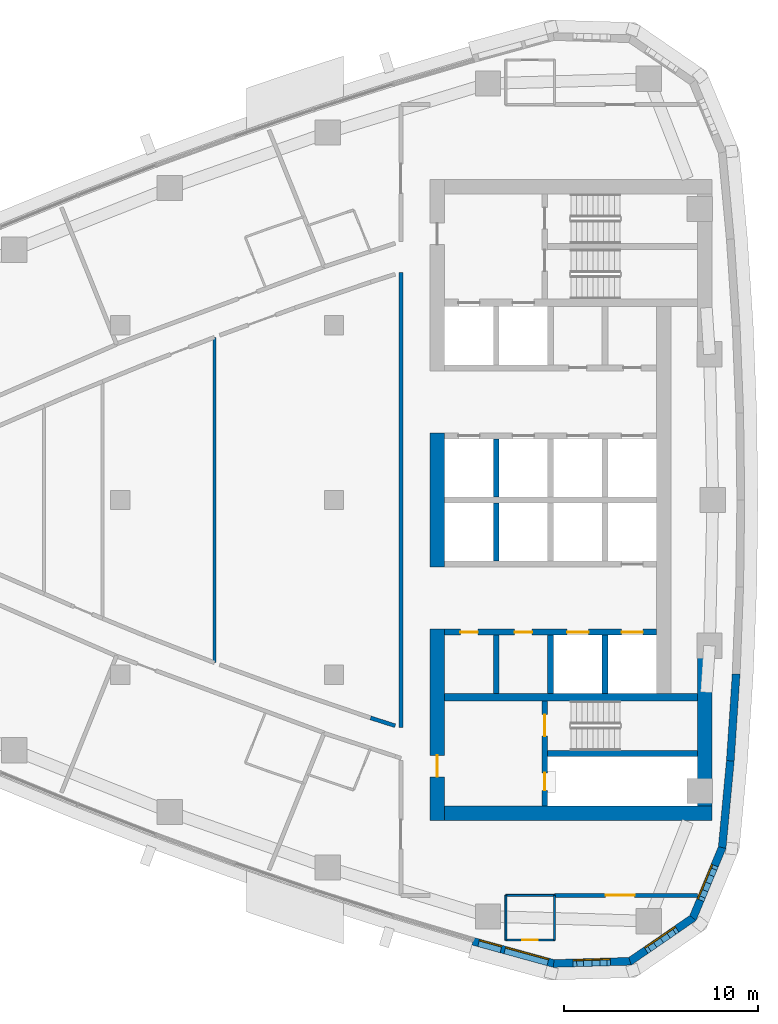
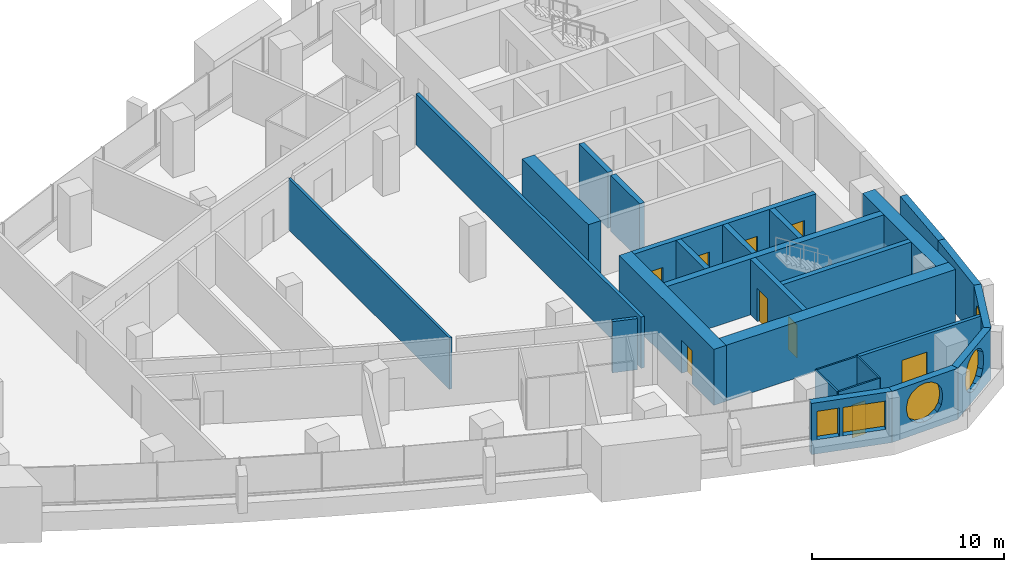
# One storey, part 10 of 16: 27 walls, 9 doors, 5 windows, 14 openings.
"""IFC4 building model written with IfcOpenShell, lengths in metres."""

from ifc_helpers import new_model, si_unit, direction, frame, frame_2d, origin, place, context, subcontext, project, spatial, polyline, rectangle, outline, extrude, material, layer, layer_set, type_object, element, fill, save


model = new_model("IFC4")

# Units and contexts
model_context = context("Model", 3, precision=1e-05, world=origin(), true_north=direction((0.0, 1.0)))
body_context = subcontext(model_context, "Body", "Model", "MODEL_VIEW")
ifc_project = project(units=[si_unit("LENGTHUNIT", "METRE"), si_unit("AREAUNIT", "SQUARE_METRE"), si_unit("VOLUMEUNIT", "CUBIC_METRE"), si_unit("PLANEANGLEUNIT", "RADIAN"), si_unit("MASSUNIT", "GRAM", prefix="KILO")], contexts=[model_context])

# Site, building, storey
site_placement = place(None, origin())
site = spatial("IfcSite", under=ifc_project, at=site_placement, CompositionType="ELEMENT")
building_placement = place(site_placement, origin())
building = spatial("IfcBuilding", under=site, at=building_placement, Name="Ostrand Prow Hotel Tower", CompositionType="ELEMENT")
storey_placement = place(building_placement, frame((0.0, 0.0, 186.14990234375)))
storey = spatial("IfcBuildingStorey", under=building, at=storey_placement, Name="L46", CompositionType="ELEMENT", Elevation=186.14990234375)

# Wall
ifc_material_1 = material(Name="Concrete C60/75", Category="concrete")
ifc_layer_1 = layer(ifc_material_1, 0.300048828125)
ifc_layer_set_1 = layer_set([ifc_layer_1], Name="Concrete C60/75")
wall_type_1 = type_object("IfcWallType", Name="Core wall 300 C60/75", PredefinedType="SHEAR", material=ifc_layer_set_1)
wall_1_placement = place(storey_placement, frame((53.35009765625, 0.14990234375, 0.0), z_axis=(0.0, 0.0, 1.0), x_axis=(0.0, 1.0, 0.0)))
element("IfcWall", 1, at=wall_1_placement, inside=storey, type_object=wall_type_1, Name="Core wall PW-R1-NB", PredefinedType="SHEAR", context=body_context, shape_type="SweptSolid", body=[
    extrude(rectangle(XDim=3.0, YDim=0.300048828125, at=frame_2d((1.5, 0.0))), origin(), (0.0, 0.0, 1.0), 3.550048828125),
])

# Wall, openings, doors
wall_2_placement = place(storey_placement, frame((50.699951171875, -6.800048828125, 0.0), z_axis=(0.0, 0.0, 1.0), x_axis=(1.0, 0.0, 0.0)))
wall_2 = element("IfcWall", 2, at=wall_2_placement, inside=storey, type_object=wall_type_1, Name="Core wall PW-L2-S", PredefinedType="SHEAR", context=body_context, shape_type="SweptSolid", body=[
    extrude(rectangle(XDim=10.900146484375, YDim=0.300048828125, at=frame_2d((5.4501953125, 0.0))), origin(), (0.0, 0.0, 1.0), 3.550048828125),
])
opening_1_placement = place(wall_2_placement, frame((6.300048828125, 0.0, 0.0)))
opening_1 = element("IfcOpeningElement", 3, at=opening_1_placement, cuts=wall_2, Name="Opening LD", PredefinedType="OPENING", context=body_context, shape_type="SweptSolid", body=[
    extrude(rectangle(XDim=1.10009765625, YDim=2.10009765625, at=frame_2d((0.550048828125, 1.050048828125))), frame((0.0, 0.159912109375, 0.0), z_axis=(0.0, -1.0, 0.0), x_axis=(1.0, 0.0, 0.0)), (0.0, 0.0, 1.0), 0.320068359375),
])
opening_2_placement = place(wall_2_placement, frame((9.10009765625, 0.0, 0.0)))
opening_2 = element("IfcOpeningElement", 4, at=opening_2_placement, cuts=wall_2, Name="Opening LD", PredefinedType="OPENING", context=body_context, shape_type="SweptSolid", body=[
    extrude(rectangle(XDim=1.10009765625, YDim=2.10009765625, at=frame_2d((0.550048828125, 1.050048828125))), frame((0.0, 0.159912109375, 0.0), z_axis=(0.0, -1.0, 0.0), x_axis=(1.0, 0.0, 0.0)), (0.0, 0.0, 1.0), 0.320068359375),
])
opening_3_placement = place(wall_2_placement, frame((0.800048828125, 0.0, 0.0)))
opening_3 = element("IfcOpeningElement", 5, at=opening_3_placement, cuts=wall_2, Name="Opening FD2", PredefinedType="OPENING", context=body_context, shape_type="SweptSolid", body=[
    extrude(rectangle(XDim=0.89990234375, YDim=2.10009765625, at=frame_2d((0.449951171875, 1.050048828125))), frame((0.0, 0.159912109375, 0.0), z_axis=(0.0, -1.0, 0.0), x_axis=(1.0, 0.0, 0.0)), (0.0, 0.0, 1.0), 0.320068359375),
])
opening_4_placement = place(wall_2_placement, frame((3.60009765625, 0.0, 0.0)))
opening_4 = element("IfcOpeningElement", 6, at=opening_4_placement, cuts=wall_2, Name="Opening FD2", PredefinedType="OPENING", context=body_context, shape_type="SweptSolid", body=[
    extrude(rectangle(XDim=0.89990234375, YDim=2.10009765625, at=frame_2d((0.449951171875, 1.050048828125))), frame((0.0, 0.159912109375, 0.0), z_axis=(0.0, -1.0, 0.0), x_axis=(1.0, 0.0, 0.0)), (0.0, 0.0, 1.0), 0.320068359375),
])
ifc_material_2 = material(Name="Steel fire door", Category="steel")
door_type_1 = type_object("IfcDoorType", Name="Fire door 900 EI120", OperationType="SINGLE_SWING_LEFT", PredefinedType="DOOR", material=ifc_material_2)
door_1_placement = place(opening_3_placement, origin())
door_1 = element("IfcDoor", 7, at=door_1_placement, inside=storey, type_object=door_type_1, Name="DOOR", OperationType="SINGLE_SWING_LEFT", OverallHeight=2.10009765625, OverallWidth=0.89990234375, PredefinedType="DOOR", context=body_context, shape_type="SweptSolid", body=[
    extrude(rectangle(XDim=0.89990234375, YDim=2.10009765625, at=frame_2d((0.449951171875, 1.050048828125))), frame((0.0, 0.02490234375, 0.0), z_axis=(0.0, -1.0, 0.0), x_axis=(1.0, 0.0, 0.0)), (0.0, 0.0, 1.0), 0.050048828125),
])
fill(opening_3, door_1)
door_2_placement = place(opening_4_placement, origin())
door_2 = element("IfcDoor", 8, at=door_2_placement, inside=storey, type_object=door_type_1, Name="DOOR", OperationType="SINGLE_SWING_LEFT", OverallHeight=2.10009765625, OverallWidth=0.89990234375, PredefinedType="DOOR", context=body_context, shape_type="SweptSolid", body=[
    extrude(rectangle(XDim=0.89990234375, YDim=2.10009765625, at=frame_2d((0.449951171875, 1.050048828125))), frame((0.0, 0.02490234375, 0.0), z_axis=(0.0, -1.0, 0.0), x_axis=(1.0, 0.0, 0.0)), (0.0, 0.0, 1.0), 0.050048828125),
])
fill(opening_4, door_2)
ifc_material_3 = material(Name="Stainless steel door", Category="steel")
door_type_2 = type_object("IfcDoorType", Name="Lift landing door 1100", OperationType="DOUBLE_DOOR_SLIDING", PredefinedType="DOOR", material=ifc_material_3)
door_3_placement = place(opening_1_placement, origin())
door_3 = element("IfcDoor", 9, at=door_3_placement, inside=storey, type_object=door_type_2, Name="LIFT LANDING DOOR", OperationType="DOUBLE_DOOR_SLIDING", OverallHeight=2.10009765625, OverallWidth=1.10009765625, PredefinedType="DOOR", context=body_context, shape_type="SweptSolid", body=[
    extrude(rectangle(XDim=1.10009765625, YDim=2.10009765625, at=frame_2d((0.550048828125, 1.050048828125))), frame((0.0, 0.02490234375, 0.0), z_axis=(0.0, -1.0, 0.0), x_axis=(1.0, 0.0, 0.0)), (0.0, 0.0, 1.0), 0.050048828125),
])
fill(opening_1, door_3)
door_4_placement = place(opening_2_placement, origin())
door_4 = element("IfcDoor", 10, at=door_4_placement, inside=storey, type_object=door_type_2, Name="LIFT LANDING DOOR", OperationType="DOUBLE_DOOR_SLIDING", OverallHeight=2.10009765625, OverallWidth=1.10009765625, PredefinedType="DOOR", context=body_context, shape_type="SweptSolid", body=[
    extrude(rectangle(XDim=1.10009765625, YDim=2.10009765625, at=frame_2d((0.550048828125, 1.050048828125))), frame((0.0, 0.02490234375, 0.0), z_axis=(0.0, -1.0, 0.0), x_axis=(1.0, 0.0, 0.0)), (0.0, 0.0, 1.0), 0.050048828125),
])
fill(opening_2, door_4)

# Walls
for number, where, z_axis, x_axis, name in (
    (11, (53.35009765625, -3.14990234375, 0.0), (0.0, 0.0, 1.0), (0.0, 1.0, 0.0), "Core wall PW-R1-SB"),
    (12, (53.35009765625, -9.949951171875, 0.0), (0.0, 0.0, 1.0), (0.0, 1.0, 0.0), "Core wall PW-R1-SA"),
    (13, (56.14990234375, -9.949951171875, 0.0), (0.0, 0.0, 1.0), (0.0, 1.0, 0.0), "Core wall PW-R2-SA"),
    (14, (58.949951171875, -9.949951171875, 0.0), (0.0, 0.0, 1.0), (0.0, 1.0, 0.0), "Core wall PW-R3-SA"),
):
    element("IfcWall", number, at=place(storey_placement, frame(where, z_axis=z_axis, x_axis=x_axis)), inside=storey, type_object=wall_type_1, Name=name, PredefinedType="SHEAR", context=body_context, shape_type="SweptSolid", body=[
        extrude(rectangle(XDim=3.0, YDim=0.300048828125, at=frame_2d((1.5, 0.0))), origin(), (0.0, 0.0, 1.0), 3.550048828125),
    ])

# Wall, openings, doors
wall_3_placement = place(storey_placement, frame((55.85009765625, -15.75, 0.0), z_axis=(0.0, 0.0, 1.0), x_axis=(0.0, 1.0, 0.0)))
wall_3 = element("IfcWall", 15, at=wall_3_placement, inside=storey, type_object=wall_type_1, Name="Core wall PW-VS", PredefinedType="SHEAR", context=body_context, shape_type="SweptSolid", body=[
    extrude(rectangle(XDim=5.39990234375, YDim=0.300048828125, at=frame_2d((2.699951171875, 0.0))), origin(), (0.0, 0.0, 1.0), 3.550048828125),
])
opening_5_placement = place(wall_3_placement, frame((3.60009765625, 0.0, 0.0)))
opening_5 = element("IfcOpeningElement", 16, at=opening_5_placement, cuts=wall_3, Name="Opening FD1", PredefinedType="OPENING", context=body_context, shape_type="SweptSolid", body=[
    extrude(rectangle(XDim=1.10009765625, YDim=2.10009765625, at=frame_2d((0.550048828125, 1.050048828125))), frame((0.0, 0.159912109375, 0.0), z_axis=(0.0, -1.0, 0.0), x_axis=(1.0, 0.0, 0.0)), (0.0, 0.0, 1.0), 0.320068359375),
])
opening_6_placement = place(wall_3_placement, frame((0.800048828125, 0.0, 0.0)))
opening_6 = element("IfcOpeningElement", 17, at=opening_6_placement, cuts=wall_3, Name="Opening FD2", PredefinedType="OPENING", context=body_context, shape_type="SweptSolid", body=[
    extrude(rectangle(XDim=0.89990234375, YDim=2.10009765625, at=frame_2d((0.449951171875, 1.050048828125))), frame((0.0, 0.159912109375, 0.0), z_axis=(0.0, -1.0, 0.0), x_axis=(1.0, 0.0, 0.0)), (0.0, 0.0, 1.0), 0.320068359375),
])
ifc_material_4 = material(Name="Steel fire door", Category="steel")
door_type_3 = type_object("IfcDoorType", Name="Fire door 1100 EI120", OperationType="SINGLE_SWING_RIGHT", PredefinedType="DOOR", material=ifc_material_4)
door_5_placement = place(opening_5_placement, origin())
door_5 = element("IfcDoor", 18, at=door_5_placement, inside=storey, type_object=door_type_3, Name="FIRE DOOR", OperationType="SINGLE_SWING_RIGHT", OverallHeight=2.10009765625, OverallWidth=1.10009765625, PredefinedType="DOOR", context=body_context, shape_type="SweptSolid", body=[
    extrude(rectangle(XDim=1.10009765625, YDim=2.10009765625, at=frame_2d((0.550048828125, 1.050048828125))), frame((0.0, 0.02490234375, 0.0), z_axis=(0.0, -1.0, 0.0), x_axis=(1.0, 0.0, 0.0)), (0.0, 0.0, 1.0), 0.050048828125),
])
fill(opening_5, door_5)
door_6_placement = place(opening_6_placement, origin())
door_6 = element("IfcDoor", 19, at=door_6_placement, inside=storey, type_object=door_type_1, Name="FIRE DOOR", OperationType="SINGLE_SWING_LEFT", OverallHeight=2.10009765625, OverallWidth=0.89990234375, PredefinedType="DOOR", context=body_context, shape_type="SweptSolid", body=[
    extrude(rectangle(XDim=0.89990234375, YDim=2.10009765625, at=frame_2d((0.449951171875, 1.050048828125))), frame((0.0, 0.02490234375, 0.0), z_axis=(0.0, -1.0, 0.0), x_axis=(1.0, 0.0, 0.0)), (0.0, 0.0, 1.0), 0.050048828125),
])
fill(opening_6, door_6)

# Walls
wall_4_placement = place(storey_placement, frame((56.0, -13.050048828125, 0.0), z_axis=(0.0, 0.0, 1.0), x_axis=(1.0, 0.0, 0.0)))
element("IfcWall", 20, at=wall_4_placement, inside=storey, type_object=wall_type_1, Name="Core wall PW-ST2R", PredefinedType="SHEAR", context=body_context, shape_type="SweptSolid", body=[
    extrude(rectangle(XDim=7.719970703125, YDim=0.300048828125, at=frame_2d((3.85986328125, 0.0))), origin(), (0.0, 0.0, 1.0), 3.550048828125),
])
ifc_material_5 = material(Name="Concrete C60/75", Category="concrete")
ifc_layer_2 = layer(ifc_material_5, 0.39990234375)
ifc_layer_set_2 = layer_set([ifc_layer_2], Name="Concrete C60/75")
wall_type_2 = type_object("IfcWallType", Name="Core wall 400 C60/75", PredefinedType="SHEAR", material=ifc_layer_set_2)
wall_5_placement = place(storey_placement, frame((50.699951171875, -10.14990234375, 0.0), z_axis=(0.0, 0.0, 1.0), x_axis=(1.0, 0.0, 0.0)))
element("IfcWall", 21, at=wall_5_placement, inside=storey, type_object=wall_type_2, Name="Core wall PW-BS", PredefinedType="SHEAR", context=body_context, shape_type="SweptSolid", body=[
    extrude(rectangle(XDim=13.02001953125, YDim=0.39990234375, at=frame_2d((6.510009765625, 0.0))), origin(), (0.0, 0.0, 1.0), 3.550048828125),
])
ifc_material_6 = material(Name="Concrete C60/75", Category="concrete")
ifc_layer_3 = layer(ifc_material_6, 0.75)
ifc_layer_set_3 = layer_set([ifc_layer_3], Name="Concrete C60/75")
wall_type_3 = type_object("IfcWallType", Name="Core wall 750 C60/75", PredefinedType="SHEAR", material=ifc_layer_set_3)
wall_6_placement = place(storey_placement, frame((50.324951171875, -3.449951171875, 0.0), z_axis=(0.0, 0.0, 1.0), x_axis=(0.0, 1.0, 0.0)))
element("IfcWall", 22, at=wall_6_placement, inside=storey, type_object=wall_type_3, Name="Core wall CW-W-C", PredefinedType="SHEAR", context=body_context, shape_type="SweptSolid", body=[
    extrude(rectangle(XDim=6.89990234375, YDim=0.75, at=frame_2d((3.449951171875, 0.0))), origin(), (0.0, 0.0, 1.0), 3.550048828125),
])

# Wall, opening, door
wall_7_placement = place(storey_placement, frame((50.324951171875, -16.5, 0.0), z_axis=(0.0, 0.0, 1.0), x_axis=(0.0, 1.0, 0.0)))
wall_7 = element("IfcWall", 23, at=wall_7_placement, inside=storey, type_object=wall_type_3, Name="Core wall CW-W-S", PredefinedType="SHEAR", context=body_context, shape_type="SweptSolid", body=[
    extrude(rectangle(XDim=9.85009765625, YDim=0.75, at=frame_2d((4.925048828125, 0.0))), origin(), (0.0, 0.0, 1.0), 3.550048828125),
])
opening_7_placement = place(wall_7_placement, frame((2.25, 0.0, 0.0)))
opening_7 = element("IfcOpeningElement", 24, at=opening_7_placement, cuts=wall_7, Name="Opening FD1", PredefinedType="OPENING", context=body_context, shape_type="SweptSolid", body=[
    extrude(rectangle(XDim=1.10009765625, YDim=2.10009765625, at=frame_2d((0.550048828125, 1.050048828125))), frame((0.0, 0.385009765625, 0.0), z_axis=(0.0, -1.0, 0.0), x_axis=(1.0, 0.0, 0.0)), (0.0, 0.0, 1.0), 0.77001953125),
])
door_7_placement = place(opening_7_placement, origin())
door_7 = element("IfcDoor", 25, at=door_7_placement, inside=storey, type_object=door_type_3, Name="FIRE DOOR", OperationType="SINGLE_SWING_RIGHT", OverallHeight=2.10009765625, OverallWidth=1.10009765625, PredefinedType="DOOR", context=body_context, shape_type="SweptSolid", body=[
    extrude(rectangle(XDim=1.10009765625, YDim=2.10009765625, at=frame_2d((0.550048828125, 1.050048828125))), frame((0.0, 0.02490234375, 0.0), z_axis=(0.0, -1.0, 0.0), x_axis=(1.0, 0.0, 0.0)), (0.0, 0.0, 1.0), 0.050048828125),
])
fill(opening_7, door_7)

# Walls
wall_8_placement = place(storey_placement, frame((50.699951171875, -16.125, 0.0), z_axis=(0.0, 0.0, 1.0), x_axis=(1.0, 0.0, 0.0)))
element("IfcWall", 26, at=wall_8_placement, inside=storey, type_object=wall_type_3, Name="Core wall CW-S", PredefinedType="SHEAR", context=body_context, shape_type="SweptSolid", body=[
    extrude(rectangle(XDim=13.77001953125, YDim=0.75, at=frame_2d((6.885009765625, 0.0))), origin(), (0.0, 0.0, 1.0), 3.550048828125),
])
wall_9_placement = place(storey_placement, frame((64.094970703125, -15.75, 0.0), z_axis=(0.0, 0.0, 1.0), x_axis=(0.0, 1.0, 0.0)))
element("IfcWall", 27, at=wall_9_placement, inside=storey, type_object=wall_type_3, Name="Core wall CW-E-S", PredefinedType="SHEAR", context=body_context, shape_type="SweptSolid", body=[
    extrude(rectangle(XDim=7.65087890625, YDim=0.75, at=frame_2d((3.825439453125, 0.0))), origin(), (0.0, 0.0, 1.0), 3.550048828125),
])

# Wall, opening, door
ifc_material_7 = material(Name="Plasterboard partition")
ifc_layer_4 = layer(ifc_material_7, 0.10009765625)
ifc_layer_set_4 = layer_set([ifc_layer_4], Name="Plasterboard partition")
wall_type_4 = type_object("IfcWallType", Name="Partition 100 bathroom wall", PredefinedType="PARTITIONING", material=ifc_layer_set_4)
wall_10_placement = place(storey_placement, frame((56.35009765625, -22.64990234375, 0.0), z_axis=(0.0, 0.0, 1.0), x_axis=(-1.0, 0.0, 0.0)))
wall_10 = element("IfcWall", 28, at=wall_10_placement, inside=storey, type_object=wall_type_4, Name="BATHROOM WALL", PredefinedType="PARTITIONING", context=body_context, shape_type="SweptSolid", body=[
    extrude(rectangle(XDim=2.5, YDim=0.10009765625, at=frame_2d((1.25, 0.0))), origin(), (0.0, 0.0, 1.0), 3.25),
])
opening_8_placement = place(wall_10_placement, frame((0.85009765625, 0.0, 0.0)))
opening_8 = element("IfcOpeningElement", 29, at=opening_8_placement, cuts=wall_10, Name="Opening D2", PredefinedType="OPENING", context=body_context, shape_type="SweptSolid", body=[
    extrude(rectangle(XDim=0.800048828125, YDim=2.10009765625, at=frame_2d((0.39990234375, 1.050048828125))), frame((0.0, 0.06005859375, 0.0), z_axis=(0.0, -1.0, 0.0), x_axis=(1.0, 0.0, 0.0)), (0.0, 0.0, 1.0), 0.1201171875),
])
ifc_material_8 = material(Name="Timber door leaf", Category="wood")
door_type_4 = type_object("IfcDoorType", Name="Bathroom door 800", OperationType="SINGLE_SWING_LEFT", PredefinedType="DOOR", material=ifc_material_8)
door_8_placement = place(opening_8_placement, origin())
door_8 = element("IfcDoor", 30, at=door_8_placement, inside=storey, type_object=door_type_4, Name="DOOR", OperationType="SINGLE_SWING_LEFT", OverallHeight=2.10009765625, OverallWidth=0.800048828125, PredefinedType="DOOR", context=body_context, shape_type="SweptSolid", body=[
    extrude(rectangle(XDim=0.800048828125, YDim=2.10009765625, at=frame_2d((0.39990234375, 1.050048828125))), frame((0.0, 0.02490234375, 0.0), z_axis=(0.0, -1.0, 0.0), x_axis=(1.0, 0.0, 0.0)), (0.0, 0.0, 1.0), 0.050048828125),
])
fill(opening_8, door_8)

# Walls
for number, where, z_axis, x_axis, name in (
    (31, (53.85009765625, -22.64990234375, 0.0), (0.0, 0.0, 1.0), (0.0, 1.0, 0.0), "BATHROOM WALL"),
    (32, (56.35009765625, -20.35009765625, 0.0), (0.0, 0.0, 1.0), (0.0, -1.0, 0.0), "BATHROOM WALL"),
):
    element("IfcWall", number, at=place(storey_placement, frame(where, z_axis=z_axis, x_axis=x_axis)), inside=storey, type_object=wall_type_4, Name=name, PredefinedType="PARTITIONING", context=body_context, shape_type="SweptSolid", body=[
        extrude(rectangle(XDim=2.2998046875, YDim=0.10009765625, at=frame_2d((1.14990234375, 0.0))), origin(), (0.0, 0.0, 1.0), 3.25),
    ])
wall_11_placement = place(storey_placement, frame((53.85009765625, -20.35498046875, 0.0), z_axis=(0.0, 0.0, 1.0), x_axis=(1.0, 0.0, 0.0)))
element("IfcWall", 33, at=wall_11_placement, inside=storey, type_object=wall_type_4, Name="BATHROOM WALL", PredefinedType="PARTITIONING", context=body_context, shape_type="SweptSolid", body=[
    extrude(rectangle(XDim=2.5, YDim=0.10009765625, at=frame_2d((1.25, 0.0))), origin(), (0.0, 0.0, 1.0), 3.25),
])
ifc_material_9 = material(Name="Plasterboard partition")
ifc_layer_5 = layer(ifc_material_9, 0.14990234375)
ifc_layer_set_5 = layer_set([ifc_layer_5], Name="Plasterboard partition")
wall_type_5 = type_object("IfcWallType", Name="Partition 150 room partition", PredefinedType="PARTITIONING", material=ifc_layer_set_5)
wall_12_placement = place(storey_placement, frame((38.843017578125, -8.3740234375, 0.0), z_axis=(0.0, 0.0, 1.0), x_axis=(0.0, 1.0, 0.0)))
element("IfcWall", 34, at=wall_12_placement, inside=storey, type_object=wall_type_5, Name="ROOM PARTITION", PredefinedType="PARTITIONING", context=body_context, shape_type="SweptSolid", body=[
    extrude(rectangle(XDim=16.748046875, YDim=0.14990234375, at=frame_2d((8.3740234375, 0.0))), origin(), (0.0, 0.0, 1.0), 3.25),
])

# Wall, opening, door
ifc_material_10 = material(Name="Plasterboard partition")
ifc_layer_6 = layer(ifc_material_10, 0.199951171875)
ifc_layer_set_6 = layer_set([ifc_layer_6], Name="Plasterboard partition")
wall_type_6 = type_object("IfcWallType", Name="Partition 200 corridor wall", PredefinedType="PARTITIONING", material=ifc_layer_set_6)
wall_13_placement = place(storey_placement, frame((56.35498046875, -20.35498046875, 0.0), z_axis=(0.0, 0.0, 1.0), x_axis=(1.0, 0.0, 0.0)))
wall_13 = element("IfcWall", 35, at=wall_13_placement, inside=storey, type_object=wall_type_6, Name="CORRIDOR WALL", PredefinedType="PARTITIONING", context=body_context, shape_type="SweptSolid", body=[
    extrude(rectangle(XDim=7.3544921875, YDim=0.199951171875, at=frame_2d((3.67724609375, 0.0))), origin(), (0.0, 0.0, 1.0), 3.25),
])
opening_9_placement = place(wall_13_placement, frame((2.623779296875, 0.0, 0.0)))
opening_9 = element("IfcOpeningElement", 36, at=opening_9_placement, cuts=wall_13, Name="Opening D15", PredefinedType="OPENING", context=body_context, shape_type="SweptSolid", body=[
    extrude(rectangle(XDim=1.5, YDim=2.10009765625, at=frame_2d((0.75, 1.050048828125))), frame((0.0, 0.10986328125, 0.0), z_axis=(0.0, -1.0, 0.0), x_axis=(1.0, 0.0, 0.0)), (0.0, 0.0, 1.0), 0.219970703125),
])
ifc_material_11 = material(Name="Timber door leaf", Category="wood")
door_type_5 = type_object("IfcDoorType", Name="Double door 1500", OperationType="DOUBLE_DOOR_SINGLE_SWING", PredefinedType="DOOR", material=ifc_material_11)
door_9_placement = place(opening_9_placement, origin())
door_9 = element("IfcDoor", 37, at=door_9_placement, inside=storey, type_object=door_type_5, Name="DOOR", OperationType="DOUBLE_DOOR_SINGLE_SWING", OverallHeight=2.10009765625, OverallWidth=1.5, PredefinedType="DOOR", context=body_context, shape_type="SweptSolid", body=[
    extrude(rectangle(XDim=1.5, YDim=2.10009765625, at=frame_2d((0.75, 1.050048828125))), frame((0.0, 0.02490234375, 0.0), z_axis=(0.0, -1.0, 0.0), x_axis=(1.0, 0.0, 0.0)), (0.0, 0.0, 1.0), 0.050048828125),
])
fill(opening_9, door_9)

# Walls
wall_14_placement = place(storey_placement, frame((48.14990234375, -11.62109375, 0.0), z_axis=(0.0, 0.0, 1.0), x_axis=(-0.952761948983, 0.303718074157, 0.0)))
element("IfcWall", 38, at=wall_14_placement, inside=storey, type_object=wall_type_6, Name="CORRIDOR WALL", PredefinedType="PARTITIONING", context=body_context, shape_type="SweptSolid", body=[
    extrude(rectangle(XDim=1.33203125, YDim=0.199951171875, at=frame_2d((0.666015625, 0.0))), origin(), (0.0, 0.0, 1.0), 3.25),
])
wall_15_placement = place(storey_placement, frame((48.445068359375, 11.7099609375, 0.0), z_axis=(0.0, 0.0, 1.0), x_axis=(0.0, -1.0, 0.0)))
element("IfcWall", 39, at=wall_15_placement, inside=storey, type_object=wall_type_6, Name="CORRIDOR WALL", PredefinedType="PARTITIONING", context=body_context, shape_type="SweptSolid", body=[
    extrude(rectangle(XDim=23.419921875, YDim=0.199951171875, at=frame_2d((11.7099609375, 0.0))), origin(), (0.0, 0.0, 1.0), 3.25),
])

# Wall, openings, windows
ifc_material_12 = material(Name="Precast concrete C40/50", Category="concrete")
ifc_layer_7 = layer(ifc_material_12, 0.39990234375)
ifc_layer_set_7 = layer_set([ifc_layer_7], Name="Precast concrete C40/50")
wall_type_7 = type_object("IfcWallType", Name="Stone-faced precast wall 400 mm", PredefinedType="NOTDEFINED", material=ifc_layer_set_7)
wall_16_placement = place(storey_placement, frame((52.15478515625, -22.7158203125, 0.0), z_axis=(0.0, 0.0, 1.0), x_axis=(0.964205755089, -0.265155165617, 0.0)))
wall_16 = element("IfcWall", 40, at=wall_16_placement, inside=storey, type_object=wall_type_7, Name="Stone-faced wall back 1", PredefinedType="NOTDEFINED", context=body_context, shape_type="SweptSolid", body=[
    extrude(outline(polyline([(0.0, -0.199951171875), (4.3369140625, -0.199951171875), (4.27734375, 0.199951171875), (0.0, 0.199951171875), (0.0, -0.199951171875)])), origin(), (0.0, 0.0, 1.0), 3.25),
])
opening_10_placement = place(wall_16_placement, frame((0.303466796875, 0.0, 0.89990234375)))
opening_10 = element("IfcOpeningElement", 41, at=opening_10_placement, cuts=wall_16, Name="Opening WS4", PredefinedType="OPENING", context=body_context, shape_type="SweptSolid", body=[
    extrude(rectangle(XDim=1.199951171875, YDim=1.800048828125, at=frame_2d((0.60009765625, 0.89990234375))), frame((0.0, 0.2099609375, 0.0), z_axis=(0.0, -1.0, 0.0), x_axis=(1.0, 0.0, 0.0)), (0.0, 0.0, 1.0), 0.419921875),
])
opening_11_placement = place(wall_16_placement, frame((1.70361328125, 0.0, 0.89990234375)))
opening_11 = element("IfcOpeningElement", 42, at=opening_11_placement, cuts=wall_16, Name="Opening WS5-23", PredefinedType="OPENING", context=body_context, shape_type="SweptSolid", body=[
    extrude(rectangle(XDim=2.300048828125, YDim=1.800048828125, at=frame_2d((1.14990234375, 0.89990234375))), frame((0.0, 0.2099609375, 0.0), z_axis=(0.0, -1.0, 0.0), x_axis=(1.0, 0.0, 0.0)), (0.0, 0.0, 1.0), 0.419921875),
])
ifc_material_13 = material(Name="Insulated glass in bronze frame", Category="glass")
window_type_1 = type_object("IfcWindowType", Name="Fixed strip window 2300x1800", PartitioningType="SINGLE_PANEL", PredefinedType="WINDOW", material=ifc_material_13)
window_1_placement = place(opening_11_placement, origin())
window_1 = element("IfcWindow", 43, at=window_1_placement, inside=storey, type_object=window_type_1, Name="Window back 1.2", OverallHeight=1.800048828125, OverallWidth=2.300048828125, PartitioningType="SINGLE_PANEL", PredefinedType="WINDOW", context=body_context, shape_type="SweptSolid", body=[
    extrude(rectangle(XDim=2.300048828125, YDim=1.800048828125, at=frame_2d((1.14990234375, 0.89990234375))), frame((0.0, 0.169921875, 0.0), z_axis=(0.0, -1.0, 0.0), x_axis=(1.0, 0.0, 0.0)), (0.0, 0.0, 1.0), 0.06005859375),
])
fill(opening_11, window_1)
ifc_material_14 = material(Name="Insulated glass in bronze frame", Category="glass")
window_type_2 = type_object("IfcWindowType", Name="Operable strip panel 1200x1800", PartitioningType="SINGLE_PANEL", PredefinedType="WINDOW", material=ifc_material_14)
window_2_placement = place(opening_10_placement, origin())
window_2 = element("IfcWindow", 44, at=window_2_placement, inside=storey, type_object=window_type_2, Name="Window back 1.1", OverallHeight=1.800048828125, OverallWidth=1.199951171875, PartitioningType="SINGLE_PANEL", PredefinedType="WINDOW", context=body_context, shape_type="SweptSolid", body=[
    extrude(rectangle(XDim=1.199951171875, YDim=1.800048828125, at=frame_2d((0.60009765625, 0.89990234375))), frame((0.0, 0.169921875, 0.0), z_axis=(0.0, -1.0, 0.0), x_axis=(1.0, 0.0, 0.0)), (0.0, 0.0, 1.0), 0.06005859375),
])
fill(opening_10, window_2)

# Wall, opening, window
wall_17_placement = place(storey_placement, frame((56.307861328125, -23.85791015625, 0.0), z_axis=(0.0, 0.0, 1.0), x_axis=(0.999587920197, 0.028705222472, 0.0)))
wall_17 = element("IfcWall", 45, at=wall_17_placement, inside=storey, type_object=wall_type_7, Name="Stone-faced wall back 2", PredefinedType="NOTDEFINED", context=body_context, shape_type="SweptSolid", body=[
    extrude(outline(polyline([(-0.02978515625, -0.199951171875), (3.988525390625, -0.199951171875), (3.870361328125, 0.199951171875), (0.02978515625, 0.199951171875), (-0.02978515625, -0.199951171875)])), origin(), (0.0, 0.0, 1.0), 3.25),
])
opening_12_placement = place(wall_17_placement, frame((0.864501953125, 0.0, 0.60009765625)))
opening_12 = element("IfcOpeningElement", 46, at=opening_12_placement, cuts=wall_17, Name="Opening WP1", PredefinedType="OPENING", context=body_context, shape_type="SweptSolid", body=[
    extrude(outline(polyline([(0.0, 1.35009765625), (0.083740234375, 1.77099609375), (0.322265625, 2.127685546875), (0.678955078125, 2.3662109375), (1.10009765625, 2.449951171875), (1.52099609375, 2.3662109375), (1.877685546875, 2.127685546875), (2.1162109375, 1.77099609375), (2.199951171875, 1.35009765625), (2.199951171875, 1.10009765625), (2.1162109375, 0.678955078125), (1.877685546875, 0.322265625), (1.52099609375, 0.083740234375), (1.10009765625, 0.0), (0.678955078125, 0.083740234375), (0.322265625, 0.322265625), (0.083740234375, 0.678955078125), (0.0, 1.099853515625), (0.0, 1.35009765625)])), frame((0.0, 0.2099609375, 0.0), z_axis=(0.0, -1.0, 0.0), x_axis=(1.0, 0.0, 0.0)), (0.0, 0.0, 1.0), 0.419921875),
])
ifc_material_15 = material(Name="Insulated glass in bronze frame", Category="glass")
window_type_3 = type_object("IfcWindowType", Name="Round-ended prow window 2200x2450", PartitioningType="SINGLE_PANEL", PredefinedType="WINDOW", material=ifc_material_15)
window_3_placement = place(opening_12_placement, origin())
window_3 = element("IfcWindow", 47, at=window_3_placement, inside=storey, type_object=window_type_3, Name="Window back 2.1", OverallHeight=2.449951171875, OverallWidth=2.199951171875, PartitioningType="SINGLE_PANEL", PredefinedType="WINDOW", context=body_context, shape_type="SweptSolid", body=[
    extrude(outline(polyline([(0.0, 1.35009765625), (0.083740234375, 1.77099609375), (0.322265625, 2.127685546875), (0.678955078125, 2.3662109375), (1.10009765625, 2.449951171875), (1.52099609375, 2.3662109375), (1.877685546875, 2.127685546875), (2.1162109375, 1.77099609375), (2.199951171875, 1.35009765625), (2.199951171875, 1.10009765625), (2.1162109375, 0.678955078125), (1.877685546875, 0.322265625), (1.52099609375, 0.083740234375), (1.10009765625, 0.0), (0.678955078125, 0.083740234375), (0.322265625, 0.322265625), (0.083740234375, 0.678955078125), (0.0, 1.099853515625), (0.0, 1.35009765625)])), frame((0.0, 0.169921875, 0.0), z_axis=(0.0, -1.0, 0.0), x_axis=(1.0, 0.0, 0.0)), (0.0, 0.0, 1.0), 0.06005859375),
])
fill(opening_12, window_3)

wall_18_placement = place(storey_placement, frame((60.235595703125, -23.7451171875, 0.0), z_axis=(0.0, 0.0, 1.0), x_axis=(0.823806162588, 0.566871596115, 0.0)))
wall_18 = element("IfcWall", 48, at=wall_18_placement, inside=storey, type_object=wall_type_7, Name="Stone-faced wall back 3", PredefinedType="NOTDEFINED", context=body_context, shape_type="SweptSolid", body=[
    extrude(outline(polyline([(-0.05908203125, -0.199951171875), (3.98828125, -0.199951171875), (3.8701171875, 0.199951171875), (0.05908203125, 0.199951171875), (-0.05908203125, -0.199951171875)])), origin(), (0.0, 0.0, 1.0), 3.25),
])
opening_13_placement = place(wall_18_placement, frame((0.864501953125, 0.0, 0.60009765625)))
opening_13 = element("IfcOpeningElement", 49, at=opening_13_placement, cuts=wall_18, Name="Opening WP1", PredefinedType="OPENING", context=body_context, shape_type="SweptSolid", body=[
    extrude(outline(polyline([(0.0, 1.35009765625), (0.083740234375, 1.77099609375), (0.322265625, 2.127685546875), (0.678955078125, 2.3662109375), (1.10009765625, 2.449951171875), (1.52099609375, 2.3662109375), (1.877685546875, 2.127685546875), (2.1162109375, 1.77099609375), (2.199951171875, 1.35009765625), (2.199951171875, 1.10009765625), (2.1162109375, 0.678955078125), (1.877685546875, 0.322265625), (1.52099609375, 0.083740234375), (1.10009765625, 0.0), (0.678955078125, 0.083740234375), (0.322265625, 0.322265625), (0.083740234375, 0.678955078125), (0.0, 1.099853515625), (0.0, 1.35009765625)])), frame((0.0, 0.2099609375, 0.0), z_axis=(0.0, -1.0, 0.0), x_axis=(1.0, 0.0, 0.0)), (0.0, 0.0, 1.0), 0.419921875),
])
window_4_placement = place(opening_13_placement, origin())
window_4 = element("IfcWindow", 50, at=window_4_placement, inside=storey, type_object=window_type_3, Name="Window back 3.1", OverallHeight=2.449951171875, OverallWidth=2.199951171875, PartitioningType="SINGLE_PANEL", PredefinedType="WINDOW", context=body_context, shape_type="SweptSolid", body=[
    extrude(outline(polyline([(0.0, 1.35009765625), (0.083740234375, 1.77099609375), (0.322265625, 2.127685546875), (0.678955078125, 2.3662109375), (1.10009765625, 2.449951171875), (1.52099609375, 2.3662109375), (1.877685546875, 2.127685546875), (2.1162109375, 1.77099609375), (2.199951171875, 1.35009765625), (2.199951171875, 1.10009765625), (2.1162109375, 0.678955078125), (1.877685546875, 0.322265625), (1.52099609375, 0.083740234375), (1.10009765625, 0.0), (0.678955078125, 0.083740234375), (0.322265625, 0.322265625), (0.083740234375, 0.678955078125), (0.0, 1.099853515625), (0.0, 1.35009765625)])), frame((0.0, 0.169921875, 0.0), z_axis=(0.0, -1.0, 0.0), x_axis=(1.0, 0.0, 0.0)), (0.0, 0.0, 1.0), 0.06005859375),
])
fill(opening_13, window_4)

wall_19_placement = place(storey_placement, frame((63.472412109375, -21.517822265625, 0.0), z_axis=(0.0, 0.0, 1.0), x_axis=(0.383997619794, 0.923334082547, 0.0)))
wall_19 = element("IfcWall", 51, at=wall_19_placement, inside=storey, type_object=wall_type_7, Name="Stone-faced wall back 4", PredefinedType="NOTDEFINED", context=body_context, shape_type="SweptSolid", body=[
    extrude(outline(polyline([(-0.05908203125, -0.199951171875), (3.95947265625, -0.199951171875), (3.89892578125, 0.199951171875), (0.05908203125, 0.199951171875), (-0.05908203125, -0.199951171875)])), origin(), (0.0, 0.0, 1.0), 3.25),
])
opening_14_placement = place(wall_19_placement, frame((0.864501953125, 0.0, 0.60009765625)))
opening_14 = element("IfcOpeningElement", 52, at=opening_14_placement, cuts=wall_19, Name="Opening WP1", PredefinedType="OPENING", context=body_context, shape_type="SweptSolid", body=[
    extrude(outline(polyline([(0.0, 1.35009765625), (0.083740234375, 1.77099609375), (0.322265625, 2.127685546875), (0.678955078125, 2.3662109375), (1.10009765625, 2.449951171875), (1.52099609375, 2.3662109375), (1.877685546875, 2.127685546875), (2.1162109375, 1.77099609375), (2.199951171875, 1.35009765625), (2.199951171875, 1.10009765625), (2.1162109375, 0.678955078125), (1.877685546875, 0.322265625), (1.52099609375, 0.083740234375), (1.10009765625, 0.0), (0.678955078125, 0.083740234375), (0.322265625, 0.322265625), (0.083740234375, 0.678955078125), (0.0, 1.099853515625), (0.0, 1.35009765625)])), frame((0.0, 0.2099609375, 0.0), z_axis=(0.0, -1.0, 0.0), x_axis=(1.0, 0.0, 0.0)), (0.0, 0.0, 1.0), 0.419921875),
])
window_5_placement = place(opening_14_placement, origin())
window_5 = element("IfcWindow", 53, at=window_5_placement, inside=storey, type_object=window_type_3, Name="Window back 4.1", OverallHeight=2.449951171875, OverallWidth=2.199951171875, PartitioningType="SINGLE_PANEL", PredefinedType="WINDOW", context=body_context, shape_type="SweptSolid", body=[
    extrude(outline(polyline([(0.0, 1.35009765625), (0.083740234375, 1.77099609375), (0.322265625, 2.127685546875), (0.678955078125, 2.3662109375), (1.10009765625, 2.449951171875), (1.52099609375, 2.3662109375), (1.877685546875, 2.127685546875), (2.1162109375, 1.77099609375), (2.199951171875, 1.35009765625), (2.199951171875, 1.10009765625), (2.1162109375, 0.678955078125), (1.877685546875, 0.322265625), (1.52099609375, 0.083740234375), (1.10009765625, 0.0), (0.678955078125, 0.083740234375), (0.322265625, 0.322265625), (0.083740234375, 0.678955078125), (0.0, 1.099853515625), (0.0, 1.35009765625)])), frame((0.0, 0.169921875, 0.0), z_axis=(0.0, -1.0, 0.0), x_axis=(1.0, 0.0, 0.0)), (0.0, 0.0, 1.0), 0.06005859375),
])
fill(opening_14, window_5)

# Walls
wall_20_placement = place(storey_placement, frame((64.981201171875, -17.889892578125, 0.0), z_axis=(0.0, 0.0, 1.0), x_axis=(0.093605694738, 0.995609348044, 0.0)))
element("IfcWall", 54, at=wall_20_placement, inside=storey, type_object=wall_type_7, Name="Stone-faced wall back 5", PredefinedType="NOTDEFINED", context=body_context, shape_type="SweptSolid", body=[
    extrude(outline(polyline([(-0.0302734375, -0.199951171875), (4.483642578125, -0.199951171875), (4.478271484375, 0.199951171875), (0.0302734375, 0.199951171875), (-0.0302734375, -0.199951171875)])), origin(), (0.0, 0.0, 1.0), 3.25),
])
wall_21_placement = place(storey_placement, frame((65.400634765625, -13.4287109375, 0.0), z_axis=(0.0, 0.0, 1.0), x_axis=(0.066905935948, 0.997759287471, 0.0)))
element("IfcWall", 55, at=wall_21_placement, inside=storey, type_object=wall_type_7, Name="Stone-faced wall back 6", PredefinedType="NOTDEFINED", context=body_context, shape_type="SweptSolid", body=[
    extrude(outline(polyline([(-0.002685546875, -0.199951171875), (4.483642578125, -0.199951171875), (4.478271484375, 0.199951171875), (0.002685546875, 0.199951171875), (-0.002685546875, -0.199951171875)])), origin(), (0.0, 0.0, 1.0), 3.25),
])

save(model, "model.ifc")
